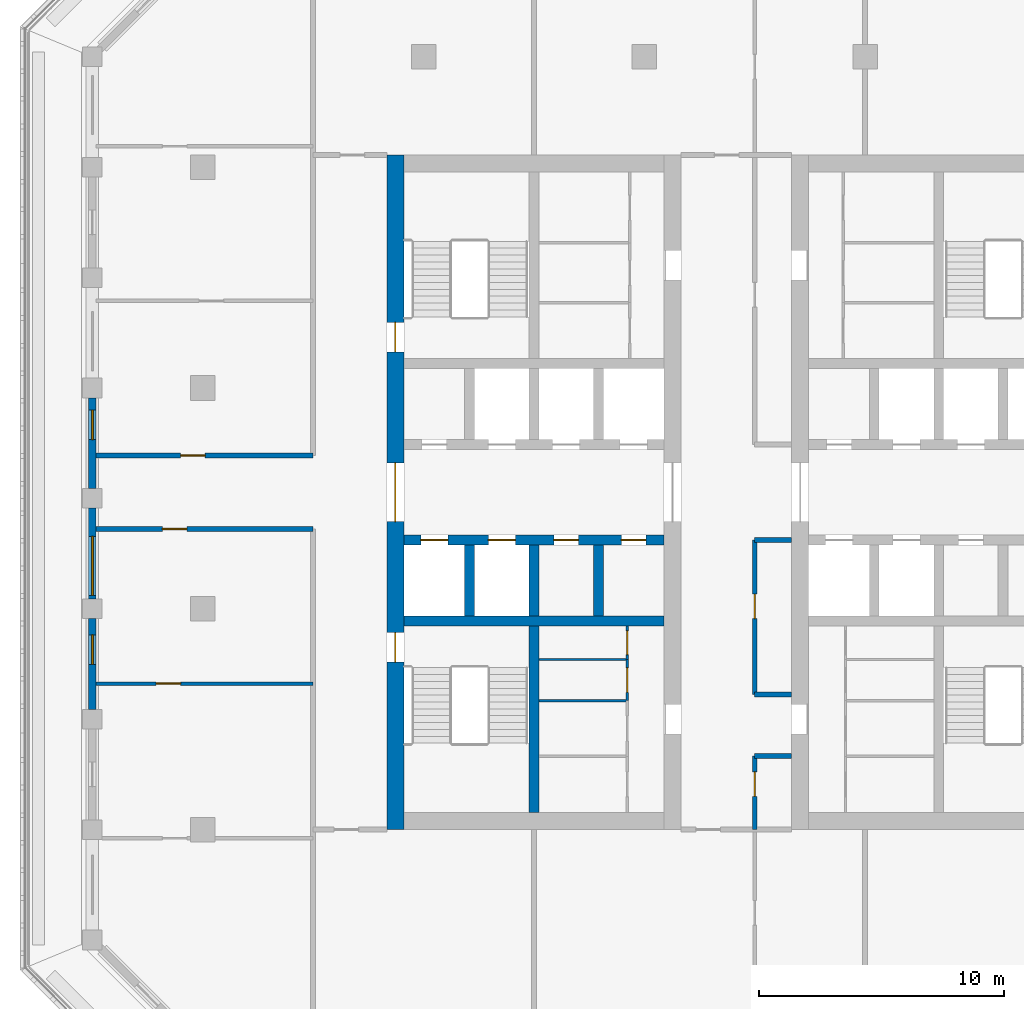
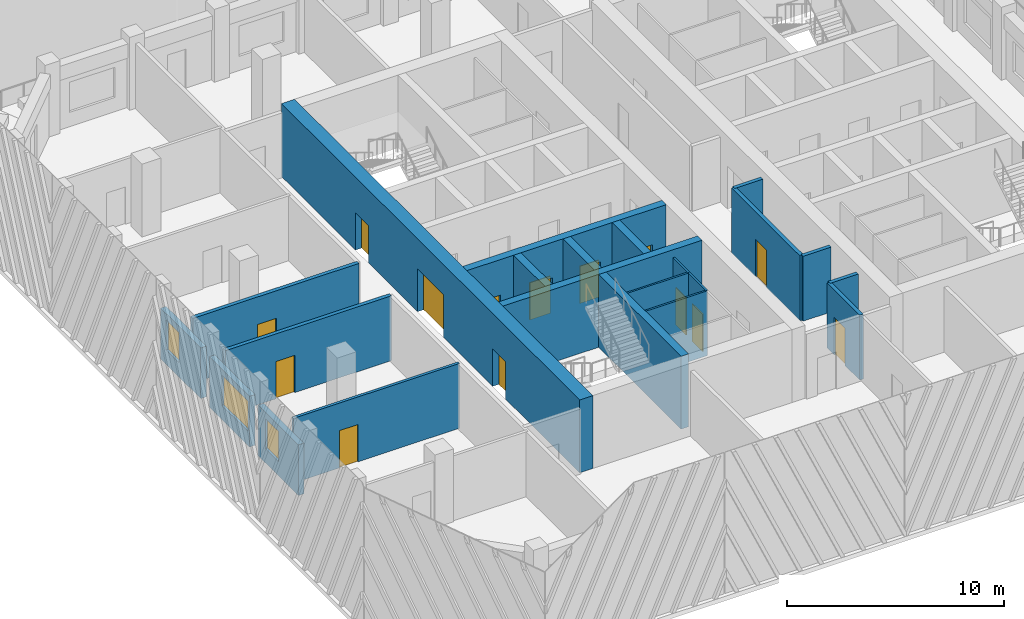
# One storey, part 3 of 15: 22 walls, 14 doors, 3 windows, 17 openings.
"""IFC4 building model written with IfcOpenShell, lengths in metres."""

from ifc_helpers import new_model, si_unit, direction, frame, frame_2d, origin, place, context, subcontext, project, spatial, rectangle, extrude, material, layer, layer_set, type_object, element, fill, save


model = new_model("IFC4")

# Units and contexts
model_context = context("Model", 3, precision=1e-05, world=origin(), true_north=direction((0.0, 1.0)))
body_context = subcontext(model_context, "Body", "Model", "MODEL_VIEW")
ifc_project = project(units=[si_unit("LENGTHUNIT", "METRE"), si_unit("AREAUNIT", "SQUARE_METRE"), si_unit("VOLUMEUNIT", "CUBIC_METRE"), si_unit("PLANEANGLEUNIT", "RADIAN"), si_unit("MASSUNIT", "GRAM", prefix="KILO")], contexts=[model_context])

# Site, building, storey
site_placement = place(None, origin())
site = spatial("IfcSite", under=ifc_project, at=site_placement, CompositionType="ELEMENT")
building_placement = place(site_placement, origin())
building = spatial("IfcBuilding", under=site, at=building_placement, Name="Corbel Stack Research Tower", CompositionType="ELEMENT")
storey_placement = place(building_placement, frame((0.0, 0.0, 282.699951171875)))
storey = spatial("IfcBuildingStorey", under=building, at=storey_placement, Name="L64", CompositionType="ELEMENT", Elevation=282.699951171875)

# Wall
ifc_material_1 = material(Name="Concrete C60/75", Category="concrete")
ifc_layer_1 = layer(ifc_material_1, 0.39990234375)
ifc_layer_set_1 = layer_set([ifc_layer_1], Name="Concrete C60/75")
wall_type_1 = type_object("IfcWallType", Name="CW-400-60", PredefinedType="SHEAR", material=ifc_layer_set_1)
wall_1_placement = place(storey_placement, frame((-9.800048828125, -0.5, 0.0), z_axis=(0.0, 0.0, 1.0), x_axis=(1.0, 0.0, 0.0)))
element("IfcWall", 1, at=wall_1_placement, inside=storey, type_object=wall_type_1, Name="West core wall, south row back L64", PredefinedType="SHEAR", context=body_context, shape_type="SweptSolid", body=[
    extrude(rectangle(XDim=10.60009765625, YDim=0.39990234375, at=frame_2d((5.300048828125, 0.0))), origin(), (0.0, 0.0, 1.0), 4.10009765625),
])

# Wall, openings, doors
wall_2_placement = place(storey_placement, frame((-9.800048828125, 2.800048828125, 0.0), z_axis=(0.0, 0.0, 1.0), x_axis=(1.0, 0.0, 0.0)))
wall_2 = element("IfcWall", 2, at=wall_2_placement, inside=storey, type_object=wall_type_1, Name="West core wall, lobby south L64", PredefinedType="SHEAR", context=body_context, shape_type="SweptSolid", body=[
    extrude(rectangle(XDim=10.60009765625, YDim=0.39990234375, at=frame_2d((5.300048828125, 0.0))), origin(), (0.0, 0.0, 1.0), 4.10009765625),
])
opening_1_placement = place(wall_2_placement, frame((0.6875, 0.0, 0.0)))
opening_1 = element("IfcOpeningElement", 3, at=opening_1_placement, cuts=wall_2, Name="Opening LD-FS1", PredefinedType="OPENING", context=body_context, shape_type="SweptSolid", body=[
    extrude(rectangle(XDim=1.10009765625, YDim=2.10009765625, at=frame_2d((0.550048828125, 1.050048828125))), frame((0.0, 0.2099609375, 0.0), z_axis=(0.0, -1.0, 0.0), x_axis=(1.0, 0.0, 0.0)), (0.0, 0.0, 1.0), 0.419921875),
])
opening_2_placement = place(wall_2_placement, frame((3.4375, 0.0, 0.0)))
opening_2 = element("IfcOpeningElement", 4, at=opening_2_placement, cuts=wall_2, Name="Opening LD-GL1", PredefinedType="OPENING", context=body_context, shape_type="SweptSolid", body=[
    extrude(rectangle(XDim=1.10009765625, YDim=2.10009765625, at=frame_2d((0.550048828125, 1.050048828125))), frame((0.0, 0.2099609375, 0.0), z_axis=(0.0, -1.0, 0.0), x_axis=(1.0, 0.0, 0.0)), (0.0, 0.0, 1.0), 0.419921875),
])
opening_3_placement = place(wall_2_placement, frame((6.112548828125, 0.0, 0.0)))
opening_3 = element("IfcOpeningElement", 5, at=opening_3_placement, cuts=wall_2, Name="Opening CR-W42-S3", PredefinedType="OPENING", context=body_context, shape_type="SweptSolid", body=[
    extrude(rectangle(XDim=1.0, YDim=2.10009765625, at=frame_2d((0.5, 1.050048828125))), frame((0.0, 0.2099609375, 0.0), z_axis=(0.0, -1.0, 0.0), x_axis=(1.0, 0.0, 0.0)), (0.0, 0.0, 1.0), 0.419921875),
])
opening_4_placement = place(wall_2_placement, frame((8.862548828125, 0.0, 0.0)))
opening_4 = element("IfcOpeningElement", 6, at=opening_4_placement, cuts=wall_2, Name="Opening CR-W42-S4", PredefinedType="OPENING", context=body_context, shape_type="SweptSolid", body=[
    extrude(rectangle(XDim=1.0, YDim=2.10009765625, at=frame_2d((0.5, 1.050048828125))), frame((0.0, 0.2099609375, 0.0), z_axis=(0.0, -1.0, 0.0), x_axis=(1.0, 0.0, 0.0)), (0.0, 0.0, 1.0), 0.419921875),
])
ifc_material_2 = material(Name="Stainless steel landing door", Category="steel")
door_type_1 = type_object("IfcDoorType", Name="Lift landing door 1100 x 2100", OperationType="DOUBLE_DOOR_SLIDING", PredefinedType="DOOR", material=ifc_material_2)
door_1_placement = place(opening_1_placement, origin())
door_1 = element("IfcDoor", 7, at=door_1_placement, inside=storey, type_object=door_type_1, Name="Landing door FS1", OperationType="DOUBLE_DOOR_SLIDING", OverallHeight=2.10009765625, OverallWidth=1.10009765625, PredefinedType="DOOR", context=body_context, shape_type="SweptSolid", body=[
    extrude(rectangle(XDim=1.10009765625, YDim=2.10009765625, at=frame_2d((0.550048828125, 1.050048828125))), frame((0.0, 0.02490234375, 0.0), z_axis=(0.0, -1.0, 0.0), x_axis=(1.0, 0.0, 0.0)), (0.0, 0.0, 1.0), 0.050048828125),
])
fill(opening_1, door_1)
door_2_placement = place(opening_2_placement, origin())
door_2 = element("IfcDoor", 8, at=door_2_placement, inside=storey, type_object=door_type_1, Name="Landing door GL1", OperationType="DOUBLE_DOOR_SLIDING", OverallHeight=2.10009765625, OverallWidth=1.10009765625, PredefinedType="DOOR", context=body_context, shape_type="SweptSolid", body=[
    extrude(rectangle(XDim=1.10009765625, YDim=2.10009765625, at=frame_2d((0.550048828125, 1.050048828125))), frame((0.0, 0.02490234375, 0.0), z_axis=(0.0, -1.0, 0.0), x_axis=(1.0, 0.0, 0.0)), (0.0, 0.0, 1.0), 0.050048828125),
])
fill(opening_2, door_2)
ifc_material_3 = material(Name="Painted steel door", Category="steel")
door_type_2 = type_object("IfcDoorType", Name="Service door 1000 x 2100 FD60 left hand", OperationType="SINGLE_SWING_LEFT", PredefinedType="DOOR", material=ifc_material_3)
door_3_placement = place(opening_3_placement, origin())
door_3 = element("IfcDoor", 9, at=door_3_placement, inside=storey, type_object=door_type_2, Name="Mechanical room door W core", OperationType="SINGLE_SWING_LEFT", OverallHeight=2.10009765625, OverallWidth=1.0, PredefinedType="DOOR", context=body_context, shape_type="SweptSolid", body=[
    extrude(rectangle(XDim=1.0, YDim=2.10009765625, at=frame_2d((0.5, 1.050048828125))), frame((0.0, 0.02490234375, 0.0), z_axis=(0.0, -1.0, 0.0), x_axis=(1.0, 0.0, 0.0)), (0.0, 0.0, 1.0), 0.050048828125),
])
fill(opening_3, door_3)
ifc_material_4 = material(Name="Painted steel door", Category="steel")
door_type_3 = type_object("IfcDoorType", Name="Service door 1000 x 2100 FD60 right hand", OperationType="SINGLE_SWING_RIGHT", PredefinedType="DOOR", material=ifc_material_4)
door_4_placement = place(opening_4_placement, origin())
door_4 = element("IfcDoor", 10, at=door_4_placement, inside=storey, type_object=door_type_3, Name="Telecom room door W core", OperationType="SINGLE_SWING_RIGHT", OverallHeight=2.10009765625, OverallWidth=1.0, PredefinedType="DOOR", context=body_context, shape_type="SweptSolid", body=[
    extrude(rectangle(XDim=1.0, YDim=2.10009765625, at=frame_2d((0.5, 1.050048828125))), frame((0.0, 0.02490234375, 0.0), z_axis=(0.0, -1.0, 0.0), x_axis=(1.0, 0.0, 0.0)), (0.0, 0.0, 1.0), 0.050048828125),
])
fill(opening_4, door_4)

# Walls
for number, where, z_axis, x_axis, name in (
    (11, (-7.125, -0.300048828125, 0.0), (0.0, 0.0, 1.0), (0.0, 1.0, 0.0), "West core wall, south shaft 1 L64"),
    (12, (-4.5, -0.300048828125, 0.0), (0.0, 0.0, 1.0), (0.0, 1.0, 0.0), "West core wall, south shaft 2 L64"),
    (13, (-1.875, -0.300048828125, 0.0), (0.0, 0.0, 1.0), (0.0, 1.0, 0.0), "West core wall, south shaft 3 L64"),
):
    element("IfcWall", number, at=place(storey_placement, frame(where, z_axis=z_axis, x_axis=x_axis)), inside=storey, type_object=wall_type_1, Name=name, PredefinedType="SHEAR", context=body_context, shape_type="SweptSolid", body=[
        extrude(rectangle(XDim=2.900146484375, YDim=0.39990234375, at=frame_2d((1.4501953125, 0.0))), origin(), (0.0, 0.0, 1.0), 4.10009765625),
    ])
wall_3_placement = place(storey_placement, frame((-4.5, -8.300048828125, 0.0), z_axis=(0.0, 0.0, 1.0), x_axis=(0.0, 1.0, 0.0)))
element("IfcWall", 14, at=wall_3_placement, inside=storey, type_object=wall_type_1, Name="West core wall, south stair and WC L64", PredefinedType="SHEAR", context=body_context, shape_type="SweptSolid", body=[
    extrude(rectangle(XDim=7.60009765625, YDim=0.39990234375, at=frame_2d((3.800048828125, 0.0))), origin(), (0.0, 0.0, 1.0), 4.10009765625),
])

# Wall, openings, doors
ifc_material_5 = material(Name="Concrete C60/75", Category="concrete")
ifc_layer_2 = layer(ifc_material_5, 0.699951171875)
ifc_layer_set_2 = layer_set([ifc_layer_2], Name="Concrete C60/75")
wall_type_2 = type_object("IfcWallType", Name="CW-700-60", PredefinedType="SHEAR", material=ifc_layer_set_2)
wall_4_placement = place(storey_placement, frame((-10.14990234375, -9.0, 0.0), z_axis=(0.0, 0.0, 1.0), x_axis=(0.0, 1.0, 0.0)))
wall_4 = element("IfcWall", 15, at=wall_4_placement, inside=storey, type_object=wall_type_2, Name="West core wall, west face L64", PredefinedType="SHEAR", context=body_context, shape_type="SweptSolid", body=[
    extrude(rectangle(XDim=27.5, YDim=0.699951171875, at=frame_2d((13.75, 0.0))), origin(), (0.0, 0.0, 1.0), 4.10009765625),
])
opening_5_placement = place(wall_4_placement, frame((12.550048828125, 0.0, 0.0)))
opening_5 = element("IfcOpeningElement", 16, at=opening_5_placement, cuts=wall_4, Name="Opening CD-W-W", PredefinedType="OPENING", context=body_context, shape_type="SweptSolid", body=[
    extrude(rectangle(XDim=2.39990234375, YDim=2.39990234375, at=frame_2d((1.199951171875, 1.199951171875))), frame((0.0, 0.35986328125, 0.0), z_axis=(0.0, -1.0, 0.0), x_axis=(1.0, 0.0, 0.0)), (0.0, 0.0, 1.0), 0.719970703125),
])
opening_6_placement = place(wall_4_placement, frame((6.824951171875, 0.0, 0.0)))
opening_6 = element("IfcOpeningElement", 17, at=opening_6_placement, cuts=wall_4, Name="Opening SD-ST-W1", PredefinedType="OPENING", context=body_context, shape_type="SweptSolid", body=[
    extrude(rectangle(XDim=1.199951171875, YDim=2.10009765625, at=frame_2d((0.60009765625, 1.050048828125))), frame((0.0, 0.35986328125, 0.0), z_axis=(0.0, -1.0, 0.0), x_axis=(1.0, 0.0, 0.0)), (0.0, 0.0, 1.0), 0.719970703125),
])
opening_7_placement = place(wall_4_placement, frame((19.47509765625, 0.0, 0.0)))
opening_7 = element("IfcOpeningElement", 18, at=opening_7_placement, cuts=wall_4, Name="Opening SD-ST-W2", PredefinedType="OPENING", context=body_context, shape_type="SweptSolid", body=[
    extrude(rectangle(XDim=1.199951171875, YDim=2.10009765625, at=frame_2d((0.60009765625, 1.050048828125))), frame((0.0, 0.35986328125, 0.0), z_axis=(0.0, -1.0, 0.0), x_axis=(1.0, 0.0, 0.0)), (0.0, 0.0, 1.0), 0.719970703125),
])
ifc_material_6 = material(Name="Painted steel fire door", Category="steel")
door_type_4 = type_object("IfcDoorType", Name="Lobby door pair 2400 x 2400 FD30S", OperationType="DOUBLE_DOOR_DOUBLE_SWING", PredefinedType="DOOR", material=ifc_material_6)
door_5_placement = place(opening_5_placement, origin())
door_5 = element("IfcDoor", 19, at=door_5_placement, inside=storey, type_object=door_type_4, Name="Lift lobby door W core W", OperationType="DOUBLE_DOOR_DOUBLE_SWING", OverallHeight=2.39990234375, OverallWidth=2.39990234375, PredefinedType="DOOR", context=body_context, shape_type="SweptSolid", body=[
    extrude(rectangle(XDim=2.39990234375, YDim=2.39990234375, at=frame_2d((1.199951171875, 1.199951171875))), frame((0.0, 0.02490234375, 0.0), z_axis=(0.0, -1.0, 0.0), x_axis=(1.0, 0.0, 0.0)), (0.0, 0.0, 1.0), 0.050048828125),
])
fill(opening_5, door_5)
ifc_material_7 = material(Name="Painted steel fire door", Category="steel")
door_type_5 = type_object("IfcDoorType", Name="Stair door 1200 x 2100 FD90 left hand", OperationType="SINGLE_SWING_LEFT", PredefinedType="DOOR", material=ifc_material_7)
door_6_placement = place(opening_6_placement, origin())
door_6 = element("IfcDoor", 20, at=door_6_placement, inside=storey, type_object=door_type_5, Name="Stair door ST-W1", OperationType="SINGLE_SWING_LEFT", OverallHeight=2.10009765625, OverallWidth=1.199951171875, PredefinedType="DOOR", context=body_context, shape_type="SweptSolid", body=[
    extrude(rectangle(XDim=1.199951171875, YDim=2.10009765625, at=frame_2d((0.60009765625, 1.050048828125))), frame((0.0, 0.02490234375, 0.0), z_axis=(0.0, -1.0, 0.0), x_axis=(1.0, 0.0, 0.0)), (0.0, 0.0, 1.0), 0.050048828125),
])
fill(opening_6, door_6)
door_7_placement = place(opening_7_placement, origin())
door_7 = element("IfcDoor", 21, at=door_7_placement, inside=storey, type_object=door_type_5, Name="Stair door ST-W2", OperationType="SINGLE_SWING_LEFT", OverallHeight=2.10009765625, OverallWidth=1.199951171875, PredefinedType="DOOR", context=body_context, shape_type="SweptSolid", body=[
    extrude(rectangle(XDim=1.199951171875, YDim=2.10009765625, at=frame_2d((0.60009765625, 1.050048828125))), frame((0.0, 0.02490234375, 0.0), z_axis=(0.0, -1.0, 0.0), x_axis=(1.0, 0.0, 0.0)), (0.0, 0.0, 1.0), 0.050048828125),
])
fill(opening_7, door_7)

# Wall, opening, door
ifc_material_8 = material(Name="Gypsum board")
ifc_layer_3 = layer(ifc_material_8, 0.10009765625)
ifc_layer_set_3 = layer_set([ifc_layer_3], Name="Gypsum board")
wall_type_3 = type_object("IfcWallType", Name="Core partition 100", PredefinedType="PARTITIONING", material=ifc_layer_set_3)
wall_5_placement = place(storey_placement, frame((-0.699951171875, -3.739990234375, 0.0), z_axis=(0.0, 0.0, 1.0), x_axis=(0.0, 1.0, 0.0)))
wall_5 = element("IfcWall", 22, at=wall_5_placement, inside=storey, type_object=wall_type_3, Name="Core partition W", PredefinedType="PARTITIONING", context=body_context, shape_type="SweptSolid", body=[
    extrude(rectangle(XDim=1.671875, YDim=0.10009765625, at=frame_2d((0.8359375, 0.0))), origin(), (0.0, 0.0, 1.0), 3.650146484375),
])
opening_8_placement = place(wall_5_placement, frame((0.3359375, 0.0, 0.0)))
opening_8 = element("IfcOpeningElement", 23, at=opening_8_placement, cuts=wall_5, Name="Opening CR-W42-W4-1000", PredefinedType="OPENING", context=body_context, shape_type="SweptSolid", body=[
    extrude(rectangle(XDim=1.0, YDim=2.10009765625, at=frame_2d((0.5, 1.050048828125))), frame((0.0, 0.06005859375, 0.0), z_axis=(0.0, -1.0, 0.0), x_axis=(1.0, 0.0, 0.0)), (0.0, 0.0, 1.0), 0.1201171875),
])
ifc_material_9 = material(Name="Painted timber door", Category="wood")
door_type_6 = type_object("IfcDoorType", Name="WC door 1000 x 2100 right hand", OperationType="SINGLE_SWING_RIGHT", PredefinedType="DOOR", material=ifc_material_9)
door_8_placement = place(opening_8_placement, origin())
door_8 = element("IfcDoor", 24, at=door_8_placement, inside=storey, type_object=door_type_6, Name="Accessible WC door W core", OperationType="SINGLE_SWING_RIGHT", OverallHeight=2.10009765625, OverallWidth=1.0, PredefinedType="DOOR", context=body_context, shape_type="SweptSolid", body=[
    extrude(rectangle(XDim=1.0, YDim=2.10009765625, at=frame_2d((0.5, 1.050048828125))), frame((0.0, 0.02490234375, 0.0), z_axis=(0.0, -1.0, 0.0), x_axis=(1.0, 0.0, 0.0)), (0.0, 0.0, 1.0), 0.050048828125),
])
fill(opening_8, door_8)

wall_6_placement = place(storey_placement, frame((-0.699951171875, -2.068115234375, 0.0), z_axis=(0.0, 0.0, 1.0), x_axis=(0.0, 1.0, 0.0)))
wall_6 = element("IfcWall", 25, at=wall_6_placement, inside=storey, type_object=wall_type_3, Name="Core partition W", PredefinedType="PARTITIONING", context=body_context, shape_type="SweptSolid", body=[
    extrude(rectangle(XDim=1.3681640625, YDim=0.10009765625, at=frame_2d((0.68408203125, 0.0))), origin(), (0.0, 0.0, 1.0), 3.650146484375),
])
opening_9_placement = place(wall_6_placement, frame((0.199951171875, 0.0, 0.0)))
opening_9 = element("IfcOpeningElement", 26, at=opening_9_placement, cuts=wall_6, Name="Opening CR-W42-W5-968", PredefinedType="OPENING", context=body_context, shape_type="SweptSolid", body=[
    extrude(rectangle(XDim=0.968017578125, YDim=2.10009765625, at=frame_2d((0.48388671875, 1.050048828125))), frame((0.0, 0.06005859375, 0.0), z_axis=(0.0, -1.0, 0.0), x_axis=(1.0, 0.0, 0.0)), (0.0, 0.0, 1.0), 0.1201171875),
])
ifc_material_10 = material(Name="Painted steel door", Category="steel")
door_type_7 = type_object("IfcDoorType", Name="Service door 968 x 2100 FD30 left hand", OperationType="SINGLE_SWING_LEFT", PredefinedType="DOOR", material=ifc_material_10)
door_9_placement = place(opening_9_placement, origin())
door_9 = element("IfcDoor", 27, at=door_9_placement, inside=storey, type_object=door_type_7, Name="Cleaner's store door W core", OperationType="SINGLE_SWING_LEFT", OverallHeight=2.10009765625, OverallWidth=0.968017578125, PredefinedType="DOOR", context=body_context, shape_type="SweptSolid", body=[
    extrude(rectangle(XDim=0.968017578125, YDim=2.10009765625, at=frame_2d((0.48388671875, 1.050048828125))), frame((0.0, 0.02490234375, 0.0), z_axis=(0.0, -1.0, 0.0), x_axis=(1.0, 0.0, 0.0)), (0.0, 0.0, 1.0), 0.050048828125),
])
fill(opening_9, door_9)

# Walls
for number, where, z_axis, x_axis, name in (
    (28, (-4.300048828125, -3.739990234375, 0.0), (0.0, 0.0, 1.0), (1.0, 0.0, 0.0), "Core partition W"),
    (29, (-4.300048828125, -2.068115234375, 0.0), (0.0, 0.0, 1.0), (1.0, 0.0, 0.0), "Core partition W"),
):
    element("IfcWall", number, at=place(storey_placement, frame(where, z_axis=z_axis, x_axis=x_axis)), inside=storey, type_object=wall_type_3, Name=name, PredefinedType="PARTITIONING", context=body_context, shape_type="SweptSolid", body=[
        extrude(rectangle(XDim=3.60009765625, YDim=0.10009765625, at=frame_2d((1.800048828125, 0.0))), origin(), (0.0, 0.0, 1.0), 3.650146484375),
    ])

# Wall, opening, door
ifc_material_11 = material(Name="Fire-rated gypsum board partition on steel studs", Category="steel")
ifc_layer_4 = layer(ifc_material_11, 0.199951171875)
ifc_layer_set_4 = layer_set([ifc_layer_4], Name="Fire-rated gypsum board partition on steel studs")
wall_type_4 = type_object("IfcWallType", Name="Fire-rated partition 200 EI 60", PredefinedType="PARTITIONING", material=ifc_layer_set_4)
wall_7_placement = place(storey_placement, frame((4.5, -6.0, 0.0), z_axis=(0.0, 0.0, 1.0), x_axis=(0.0, -1.0, 0.0)))
wall_7 = element("IfcWall", 30, at=wall_7_placement, inside=storey, type_object=wall_type_4, Name="Partition L64-007", PredefinedType="PARTITIONING", context=body_context, shape_type="SweptSolid", body=[
    extrude(rectangle(XDim=3.0, YDim=0.199951171875, at=frame_2d((1.5, 0.0))), origin(), (0.0, 0.0, 1.0), 3.650146484375),
])
opening_10_placement = place(wall_7_placement, frame((0.64990234375, 0.0, 0.0)))
opening_10 = element("IfcOpeningElement", 31, at=opening_10_placement, cuts=wall_7, Name="Opening B8V2-008", PredefinedType="OPENING", context=body_context, shape_type="SweptSolid", body=[
    extrude(rectangle(XDim=1.0, YDim=2.10009765625, at=frame_2d((0.5, 1.050048828125))), frame((0.0, 0.10986328125, 0.0), z_axis=(0.0, -1.0, 0.0), x_axis=(1.0, 0.0, 0.0)), (0.0, 0.0, 1.0), 0.219970703125),
])
ifc_material_12 = material(Name="Painted steel fire door", Category="steel")
door_type_8 = type_object("IfcDoorType", Name="Fire door FD30S 1000 x 2100", OperationType="NOTDEFINED", PredefinedType="DOOR", material=ifc_material_12)
door_10_placement = place(opening_10_placement, origin())
door_10 = element("IfcDoor", 32, at=door_10_placement, inside=storey, type_object=door_type_8, Name="Door B8V2-008", OperationType="SINGLE_SWING_LEFT", OverallHeight=2.10009765625, OverallWidth=1.0, PredefinedType="DOOR", context=body_context, shape_type="SweptSolid", body=[
    extrude(rectangle(XDim=1.0, YDim=2.10009765625, at=frame_2d((0.5, 1.050048828125))), frame((0.0, 0.02490234375, 0.0), z_axis=(0.0, -1.0, 0.0), x_axis=(1.0, 0.0, 0.0)), (0.0, 0.0, 1.0), 0.050048828125),
])
fill(opening_10, door_10)

wall_8_placement = place(storey_placement, frame((4.5, 2.800048828125, 0.0), z_axis=(0.0, 0.0, 1.0), x_axis=(0.0, -1.0, 0.0)))
wall_8 = element("IfcWall", 33, at=wall_8_placement, inside=storey, type_object=wall_type_4, Name="Partition L64-008", PredefinedType="PARTITIONING", context=body_context, shape_type="SweptSolid", body=[
    extrude(rectangle(XDim=6.300048828125, YDim=0.199951171875, at=frame_2d((3.14990234375, 0.0))), origin(), (0.0, 0.0, 1.0), 3.650146484375),
])
opening_11_placement = place(wall_8_placement, frame((2.199951171875, 0.0, 0.0)))
opening_11 = element("IfcOpeningElement", 34, at=opening_11_placement, cuts=wall_8, Name="Opening B8V2-009", PredefinedType="OPENING", context=body_context, shape_type="SweptSolid", body=[
    extrude(rectangle(XDim=1.0, YDim=2.10009765625, at=frame_2d((0.5, 1.050048828125))), frame((0.0, 0.10986328125, 0.0), z_axis=(0.0, -1.0, 0.0), x_axis=(1.0, 0.0, 0.0)), (0.0, 0.0, 1.0), 0.219970703125),
])
door_11_placement = place(opening_11_placement, origin())
door_11 = element("IfcDoor", 35, at=door_11_placement, inside=storey, type_object=door_type_8, Name="Door B8V2-009", OperationType="SINGLE_SWING_LEFT", OverallHeight=2.10009765625, OverallWidth=1.0, PredefinedType="DOOR", context=body_context, shape_type="SweptSolid", body=[
    extrude(rectangle(XDim=1.0, YDim=2.10009765625, at=frame_2d((0.5, 1.050048828125))), frame((0.0, 0.02490234375, 0.0), z_axis=(0.0, -1.0, 0.0), x_axis=(1.0, 0.0, 0.0)), (0.0, 0.0, 1.0), 0.050048828125),
])
fill(opening_11, door_11)

# Walls
for number, where, z_axis, x_axis, name in (
    (36, (4.5, -6.0, 0.0), (0.0, 0.0, 1.0), (1.0, 0.0, 0.0), "Partition L64-018"),
    (37, (4.5, -3.5, 0.0), (0.0, 0.0, 1.0), (1.0, 0.0, 0.0), "Partition L64-019"),
    (38, (4.5, 2.800048828125, 0.0), (0.0, 0.0, 1.0), (1.0, 0.0, 0.0), "Partition L64-021"),
):
    element("IfcWall", number, at=place(storey_placement, frame(where, z_axis=z_axis, x_axis=x_axis)), inside=storey, type_object=wall_type_4, Name=name, PredefinedType="PARTITIONING", context=body_context, shape_type="SweptSolid", body=[
        extrude(rectangle(XDim=1.5, YDim=0.199951171875, at=frame_2d((0.75, 0.0))), origin(), (0.0, 0.0, 1.0), 3.650146484375),
    ])

# Wall, opening, door
wall_9_placement = place(storey_placement, frame((-13.5, 3.25, 0.0), z_axis=(0.0, 0.0, 1.0), x_axis=(-1.0, 0.0, 0.0)))
wall_9 = element("IfcWall", 39, at=wall_9_placement, inside=storey, type_object=wall_type_4, Name="Partition L64-022", PredefinedType="PARTITIONING", context=body_context, shape_type="SweptSolid", body=[
    extrude(rectangle(XDim=8.85009765625, YDim=0.199951171875, at=frame_2d((4.425048828125, 0.0))), origin(), (0.0, 0.0, 1.0), 3.650146484375),
])
opening_12_placement = place(wall_9_placement, frame((5.14990234375, 0.0, 0.0)))
opening_12 = element("IfcOpeningElement", 40, at=opening_12_placement, cuts=wall_9, Name="Opening B8V2-006", PredefinedType="OPENING", context=body_context, shape_type="SweptSolid", body=[
    extrude(rectangle(XDim=1.0, YDim=2.10009765625, at=frame_2d((0.5, 1.050048828125))), frame((0.0, 0.10986328125, 0.0), z_axis=(0.0, -1.0, 0.0), x_axis=(1.0, 0.0, 0.0)), (0.0, 0.0, 1.0), 0.219970703125),
])
door_12_placement = place(opening_12_placement, origin())
door_12 = element("IfcDoor", 41, at=door_12_placement, inside=storey, type_object=door_type_8, Name="Door B8V2-006", OperationType="SINGLE_SWING_RIGHT", OverallHeight=2.10009765625, OverallWidth=1.0, PredefinedType="DOOR", context=body_context, shape_type="SweptSolid", body=[
    extrude(rectangle(XDim=1.0, YDim=2.10009765625, at=frame_2d((0.5, 1.050048828125))), frame((0.0, 0.02490234375, 0.0), z_axis=(0.0, -1.0, 0.0), x_axis=(1.0, 0.0, 0.0)), (0.0, 0.0, 1.0), 0.050048828125),
])
fill(opening_12, door_12)

wall_10_placement = place(storey_placement, frame((-22.35009765625, 6.25, 0.0), z_axis=(0.0, 0.0, 1.0), x_axis=(1.0, 0.0, 0.0)))
wall_10 = element("IfcWall", 42, at=wall_10_placement, inside=storey, type_object=wall_type_4, Name="Partition L64-023", PredefinedType="PARTITIONING", context=body_context, shape_type="SweptSolid", body=[
    extrude(rectangle(XDim=8.85009765625, YDim=0.199951171875, at=frame_2d((4.425048828125, 0.0))), origin(), (0.0, 0.0, 1.0), 3.650146484375),
])
opening_13_placement = place(wall_10_placement, frame((3.449951171875, 0.0, 0.0)))
opening_13 = element("IfcOpeningElement", 43, at=opening_13_placement, cuts=wall_10, Name="Opening B8V2-012", PredefinedType="OPENING", context=body_context, shape_type="SweptSolid", body=[
    extrude(rectangle(XDim=1.0, YDim=2.10009765625, at=frame_2d((0.5, 1.050048828125))), frame((0.0, 0.10986328125, 0.0), z_axis=(0.0, -1.0, 0.0), x_axis=(1.0, 0.0, 0.0)), (0.0, 0.0, 1.0), 0.219970703125),
])
door_13_placement = place(opening_13_placement, origin())
door_13 = element("IfcDoor", 44, at=door_13_placement, inside=storey, type_object=door_type_8, Name="Door B8V2-012", OperationType="SINGLE_SWING_LEFT", OverallHeight=2.10009765625, OverallWidth=1.0, PredefinedType="DOOR", context=body_context, shape_type="SweptSolid", body=[
    extrude(rectangle(XDim=1.0, YDim=2.10009765625, at=frame_2d((0.5, 1.050048828125))), frame((0.0, 0.02490234375, 0.0), z_axis=(0.0, -1.0, 0.0), x_axis=(1.0, 0.0, 0.0)), (0.0, 0.0, 1.0), 0.050048828125),
])
fill(opening_13, door_13)

ifc_material_13 = material(Name="Gypsum board partition on steel studs", Category="steel")
ifc_layer_5 = layer(ifc_material_13, 0.14990234375)
ifc_layer_set_5 = layer_set([ifc_layer_5], Name="Gypsum board partition on steel studs")
wall_type_5 = type_object("IfcWallType", Name="Partition 150", PredefinedType="PARTITIONING", material=ifc_layer_set_5)
wall_11_placement = place(storey_placement, frame((-13.5, -3.050048828125, 0.0), z_axis=(0.0, 0.0, 1.0), x_axis=(-1.0, 0.0, 0.0)))
wall_11 = element("IfcWall", 45, at=wall_11_placement, inside=storey, type_object=wall_type_5, Name="Partition L64-020", PredefinedType="PARTITIONING", context=body_context, shape_type="SweptSolid", body=[
    extrude(rectangle(XDim=8.85009765625, YDim=0.14990234375, at=frame_2d((4.425048828125, 0.0))), origin(), (0.0, 0.0, 1.0), 3.650146484375),
])
opening_14_placement = place(wall_11_placement, frame((5.39990234375, 0.0, 0.0)))
opening_14 = element("IfcOpeningElement", 46, at=opening_14_placement, cuts=wall_11, Name="Opening B8V2-005", PredefinedType="OPENING", context=body_context, shape_type="SweptSolid", body=[
    extrude(rectangle(XDim=1.0, YDim=2.10009765625, at=frame_2d((0.5, 1.050048828125))), frame((0.0, 0.0849609375, 0.0), z_axis=(0.0, -1.0, 0.0), x_axis=(1.0, 0.0, 0.0)), (0.0, 0.0, 1.0), 0.169921875),
])
ifc_material_14 = material(Name="Painted timber door", Category="wood")
door_type_9 = type_object("IfcDoorType", Name="Single door 1000 x 2100", OperationType="NOTDEFINED", PredefinedType="DOOR", material=ifc_material_14)
door_14_placement = place(opening_14_placement, origin())
door_14 = element("IfcDoor", 47, at=door_14_placement, inside=storey, type_object=door_type_9, Name="Door B8V2-005", OperationType="SINGLE_SWING_RIGHT", OverallHeight=2.10009765625, OverallWidth=1.0, PredefinedType="DOOR", context=body_context, shape_type="SweptSolid", body=[
    extrude(rectangle(XDim=1.0, YDim=2.10009765625, at=frame_2d((0.5, 1.050048828125))), frame((0.0, 0.02490234375, 0.0), z_axis=(0.0, -1.0, 0.0), x_axis=(1.0, 0.0, 0.0)), (0.0, 0.0, 1.0), 0.050048828125),
])
fill(opening_14, door_14)

# Wall, opening, window
ifc_material_15 = material(Name="Concrete C45/55", Category="concrete")
ifc_layer_6 = layer(ifc_material_15, 0.300048828125)
ifc_layer_set_6 = layer_set([ifc_layer_6], Name="Concrete C45/55")
wall_type_6 = type_object("IfcWallType", Name="Terracotta-faced concrete wall 300", PredefinedType="SOLIDWALL", material=ifc_layer_set_6)
wall_12_placement = place(storey_placement, frame((-22.5, 4.89990234375, 0.0), z_axis=(0.0, 0.0, 1.0), x_axis=(0.0, 1.0, 0.0)))
wall_12 = element("IfcWall", 48, at=wall_12_placement, inside=storey, type_object=wall_type_6, Name="Facade wall L64 W04", PredefinedType="SOLIDWALL", context=body_context, shape_type="SweptSolid", body=[
    extrude(rectangle(XDim=3.7001953125, YDim=0.300048828125, at=frame_2d((1.85009765625, 0.0))), origin(), (0.0, 0.0, 1.0), 2.85009765625),
])
opening_15_placement = place(wall_12_placement, frame((2.0, 0.0, 0.800048828125)))
opening_15 = element("IfcOpeningElement", 49, at=opening_15_placement, cuts=wall_12, Name="Opening W2", PredefinedType="OPENING", context=body_context, shape_type="SweptSolid", body=[
    extrude(rectangle(XDim=1.199951171875, YDim=1.699951171875, at=frame_2d((0.60009765625, 0.85009765625))), frame((0.0, 0.159912109375, 0.0), z_axis=(0.0, -1.0, 0.0), x_axis=(1.0, 0.0, 0.0)), (0.0, 0.0, 1.0), 0.320068359375),
])
ifc_material_16 = material(Name="Aluminium frame, clear double glazing", Category="aluminium")
window_type_1 = type_object("IfcWindowType", Name="Window W2 1200 x 1700", PartitioningType="SINGLE_PANEL", PredefinedType="WINDOW", material=ifc_material_16)
window_1_placement = place(opening_15_placement, origin())
window_1 = element("IfcWindow", 50, at=window_1_placement, inside=storey, type_object=window_type_1, Name="Window W2 L64 W04", OverallHeight=1.699951171875, OverallWidth=1.199951171875, PartitioningType="SINGLE_PANEL", PredefinedType="WINDOW", context=body_context, shape_type="SweptSolid", body=[
    extrude(rectangle(XDim=1.199951171875, YDim=1.699951171875, at=frame_2d((0.60009765625, 0.85009765625))), frame((0.0, 0.030029296875, 0.0), z_axis=(0.0, -1.0, 0.0), x_axis=(1.0, 0.0, 0.0)), (0.0, 0.0, 1.0), 0.06005859375),
])
fill(opening_15, window_1)

wall_13_placement = place(storey_placement, frame((-22.5, 0.39990234375, 0.0), z_axis=(0.0, 0.0, 1.0), x_axis=(0.0, 1.0, 0.0)))
wall_13 = element("IfcWall", 51, at=wall_13_placement, inside=storey, type_object=wall_type_6, Name="Facade wall L64 W05", PredefinedType="SOLIDWALL", context=body_context, shape_type="SweptSolid", body=[
    extrude(rectangle(XDim=3.7001953125, YDim=0.300048828125, at=frame_2d((1.85009765625, 0.0))), origin(), (0.0, 0.0, 1.0), 2.85009765625),
])
opening_16_placement = place(wall_13_placement, frame((0.14990234375, 0.0, 0.800048828125)))
opening_16 = element("IfcOpeningElement", 52, at=opening_16_placement, cuts=wall_13, Name="Opening W1", PredefinedType="OPENING", context=body_context, shape_type="SweptSolid", body=[
    extrude(rectangle(XDim=2.39990234375, YDim=1.699951171875, at=frame_2d((1.199951171875, 0.85009765625))), frame((0.0, 0.159912109375, 0.0), z_axis=(0.0, -1.0, 0.0), x_axis=(1.0, 0.0, 0.0)), (0.0, 0.0, 1.0), 0.320068359375),
])
ifc_material_17 = material(Name="Aluminium frame, clear double glazing", Category="aluminium")
window_type_2 = type_object("IfcWindowType", Name="Window W1 2400 x 1700", PartitioningType="SINGLE_PANEL", PredefinedType="WINDOW", material=ifc_material_17)
window_2_placement = place(opening_16_placement, origin())
window_2 = element("IfcWindow", 53, at=window_2_placement, inside=storey, type_object=window_type_2, Name="Window W1 L64 W05", OverallHeight=1.699951171875, OverallWidth=2.39990234375, PartitioningType="SINGLE_PANEL", PredefinedType="WINDOW", context=body_context, shape_type="SweptSolid", body=[
    extrude(rectangle(XDim=2.39990234375, YDim=1.699951171875, at=frame_2d((1.199951171875, 0.85009765625))), frame((0.0, 0.030029296875, 0.0), z_axis=(0.0, -1.0, 0.0), x_axis=(1.0, 0.0, 0.0)), (0.0, 0.0, 1.0), 0.06005859375),
])
fill(opening_16, window_2)

wall_14_placement = place(storey_placement, frame((-22.5, -4.10009765625, 0.0), z_axis=(0.0, 0.0, 1.0), x_axis=(0.0, 1.0, 0.0)))
wall_14 = element("IfcWall", 54, at=wall_14_placement, inside=storey, type_object=wall_type_6, Name="Facade wall L64 W06", PredefinedType="SOLIDWALL", context=body_context, shape_type="SweptSolid", body=[
    extrude(rectangle(XDim=3.7001953125, YDim=0.300048828125, at=frame_2d((1.85009765625, 0.0))), origin(), (0.0, 0.0, 1.0), 2.85009765625),
])
opening_17_placement = place(wall_14_placement, frame((1.83740234375, 0.0, 0.800048828125)))
opening_17 = element("IfcOpeningElement", 55, at=opening_17_placement, cuts=wall_14, Name="Opening W2", PredefinedType="OPENING", context=body_context, shape_type="SweptSolid", body=[
    extrude(rectangle(XDim=1.199951171875, YDim=1.699951171875, at=frame_2d((0.60009765625, 0.85009765625))), frame((0.0, 0.159912109375, 0.0), z_axis=(0.0, -1.0, 0.0), x_axis=(1.0, 0.0, 0.0)), (0.0, 0.0, 1.0), 0.320068359375),
])
window_3_placement = place(opening_17_placement, origin())
window_3 = element("IfcWindow", 56, at=window_3_placement, inside=storey, type_object=window_type_1, Name="Window W2 L64 W06", OverallHeight=1.699951171875, OverallWidth=1.199951171875, PartitioningType="SINGLE_PANEL", PredefinedType="WINDOW", context=body_context, shape_type="SweptSolid", body=[
    extrude(rectangle(XDim=1.199951171875, YDim=1.699951171875, at=frame_2d((0.60009765625, 0.85009765625))), frame((0.0, 0.030029296875, 0.0), z_axis=(0.0, -1.0, 0.0), x_axis=(1.0, 0.0, 0.0)), (0.0, 0.0, 1.0), 0.06005859375),
])
fill(opening_17, window_3)

save(model, "model.ifc")
